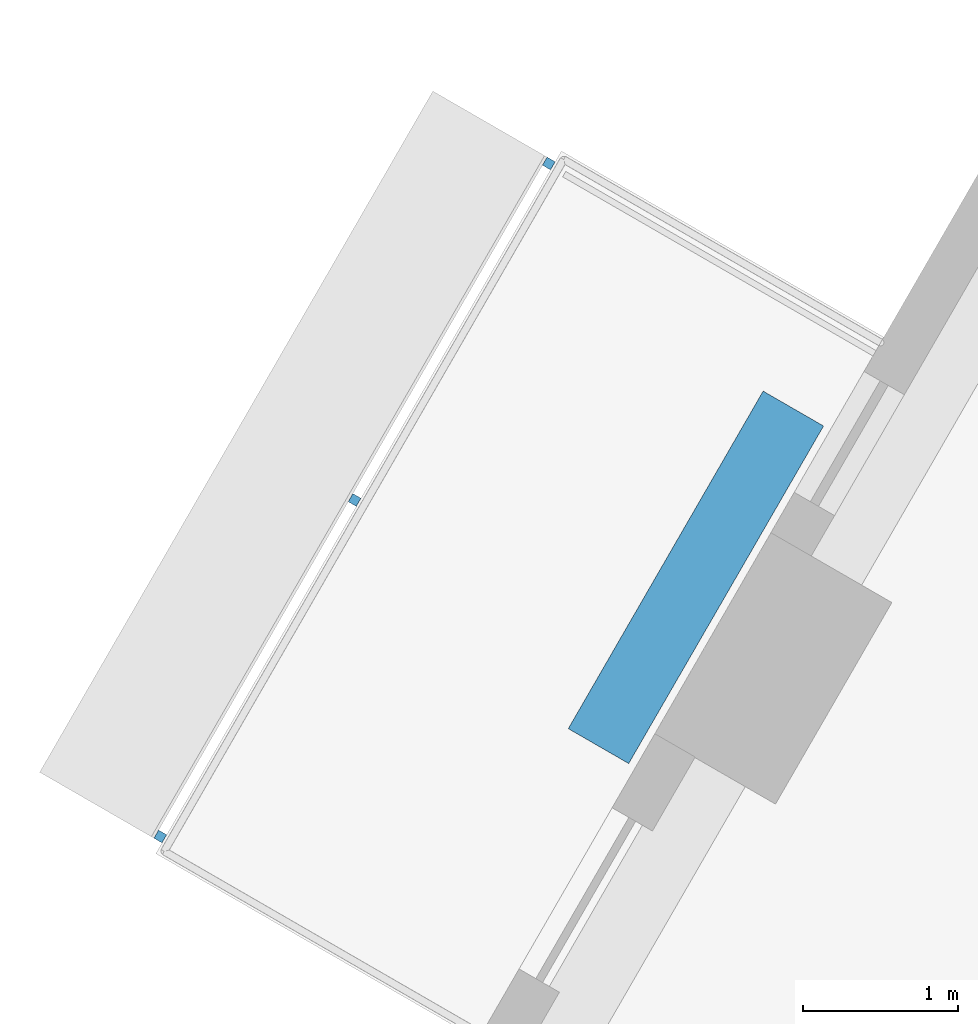
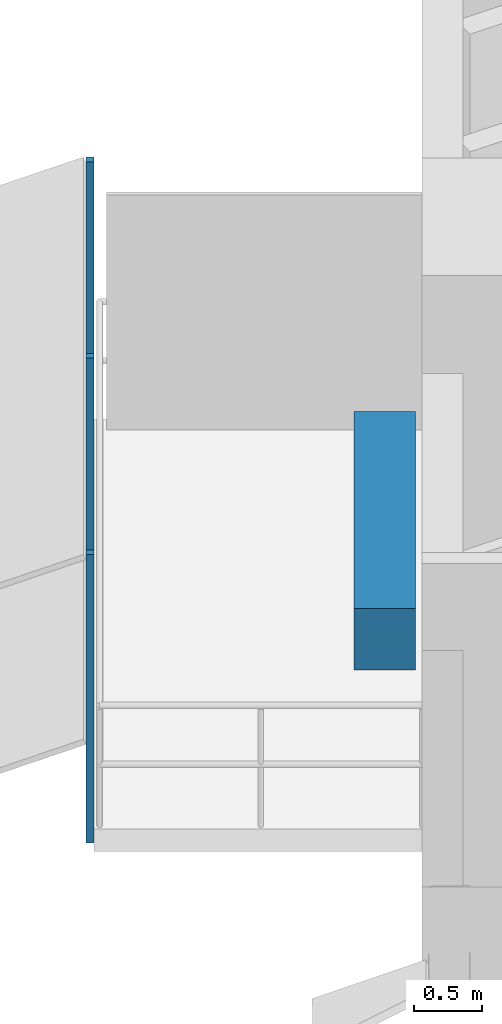
# One storey, part 10 of 13: 4 discrete accessories.
"""IFC4 building model written with IfcOpenShell, lengths in metres."""

import ifcopenshell
import ifcopenshell.guid

model = None  # the IFC model being written
_history = None  # IfcOwnerHistory: only IFC2X3 demands one
_inside = {}  # id of a spatial element -> (the spatial element, [elements in it])
_under = {}  # id of a project, library or spatial element -> (it, [spatial elements below it])
_declared = {}  # id of a project -> (the project, [libraries it declares])
_typed = {}  # id of a type object -> (the type object, [elements of that type])
_made_of = {}  # id of a material, layer set ... -> (it, [elements and type objects made of it])


def new_model(schema):
    """Start an empty IFC model of exactly this schema.

    Asked for "IFC4X3", IfcOpenShell would pick the latest addendum, in which some entities
    have other attributes; the version numbers below select the first issue.
    IFC2X3 requires an IfcOwnerHistory on every rooted entity: one is made here for all.
    """
    global model, _history
    if schema == "IFC4X3":
        model = ifcopenshell.file(schema_version=(4, 3, 0, 0))
    else:
        model = ifcopenshell.file(schema=schema)
    _inside.clear()
    _under.clear()
    _declared.clear()
    _typed.clear()
    _made_of.clear()
    _history = None
    if model.schema == "IFC2X3":
        org = make("IfcOrganization", Name="unknown")
        user = make(
            "IfcPersonAndOrganization",
            ThePerson=make("IfcPerson", FamilyName="unknown"),
            TheOrganization=org,
        )
        app = make(
            "IfcApplication",
            ApplicationDeveloper=org,
            Version="unknown",
            ApplicationFullName="unknown",
            ApplicationIdentifier="unknown",
        )
        _history = make(
            "IfcOwnerHistory",
            OwningUser=user,
            OwningApplication=app,
            ChangeAction="ADDED",
            CreationDate=0,
        )
    return model


def make(cls, **values):
    """One entity of the class cls with the attributes given. An attribute that is None is left unset."""
    return model.create_entity(
        cls, **{name: value for name, value in values.items() if value is not None}
    )


def rooted(cls, **values):
    """An entity with a GlobalId (a new one), such as an element, a storey or a relation."""
    return make(cls, GlobalId=ifcopenshell.guid.new(), OwnerHistory=_history, **values)


def si_unit(unit_type, name, prefix=None):
    """IfcSIUnit, for example si_unit("LENGTHUNIT", "METRE", prefix="MILLI")."""
    return make("IfcSIUnit", UnitType=unit_type, Prefix=prefix, Name=name)


def assignment(units):
    """IfcUnitAssignment: the units of a project."""
    return None if units is None else make("IfcUnitAssignment", Units=units)


def point(xyz):
    """IfcCartesianPoint."""
    return None if xyz is None else make("IfcCartesianPoint", Coordinates=xyz)


def direction(xyz):
    """IfcDirection."""
    return None if xyz is None else make("IfcDirection", DirectionRatios=xyz)


def frame(location, z_axis=None, x_axis=None):
    """IfcAxis2Placement3D, a coordinate frame: its origin and axes. An axis left out is left unset."""
    return make(
        "IfcAxis2Placement3D",
        Location=point(location),
        Axis=direction(z_axis),
        RefDirection=direction(x_axis),
    )


def frame_2d(location, x_axis=None):
    """IfcAxis2Placement2D, a coordinate frame in the plane: its origin and x axis."""
    return make(
        "IfcAxis2Placement2D", Location=point(location), RefDirection=direction(x_axis)
    )


def origin():
    """The frame at (0, 0, 0) with its axes left unset."""
    return frame((0.0, 0.0, 0.0))


def origin_2d():
    """The frame at (0, 0) in the plane with its x axis left unset."""
    return frame_2d((0.0, 0.0))


def place(relative_to, where):
    """IfcLocalPlacement: puts the frame where relative to a parent placement (None: the world)."""
    return make(
        "IfcLocalPlacement", PlacementRelTo=relative_to, RelativePlacement=where
    )


def context(
    kind, dimensions, precision=None, world=None, true_north=None, identifier=None
):
    """IfcGeometricRepresentationContext, for example the 3D "Model" context."""
    return make(
        "IfcGeometricRepresentationContext",
        ContextIdentifier=identifier,
        ContextType=kind,
        CoordinateSpaceDimension=dimensions,
        Precision=precision,
        WorldCoordinateSystem=world,
        TrueNorth=true_north,
    )


def subcontext(parent, identifier, kind, view, scale=None):
    """IfcGeometricRepresentationSubContext, for example "Body" below "Model"."""
    return make(
        "IfcGeometricRepresentationSubContext",
        ContextIdentifier=identifier,
        ContextType=kind,
        ParentContext=parent,
        TargetScale=scale,
        TargetView=view,
    )


def project(units=None, contexts=None):
    """IfcProject with its units and contexts."""
    return rooted(
        "IfcProject",
        Name="project",
        RepresentationContexts=contexts,
        UnitsInContext=assignment(units),
    )


def spatial(cls, under=None, at=None, **own):
    """A site, building, storey or space (cls), placed at a placement, below another one or the project."""
    s = rooted(cls, ObjectPlacement=at, **own)
    if under is not None:
        _under.setdefault(under.id(), (under, []))[1].append(s)
    return s


def profile(cls, at=None, kind="AREA", **sizes):
    """A parametric profile (cls). Its sizes go by their IFC names, for example OverallWidth=200.0."""
    return make(cls, ProfileType=kind, Position=at, **sizes)


def rectangle(**sizes):
    """IfcRectangleProfileDef."""
    return profile("IfcRectangleProfileDef", **sizes)


def extrude(swept, where, along, depth):
    """IfcExtrudedAreaSolid: the profile swept, set in the frame where, extruded along a direction by depth."""
    return make(
        "IfcExtrudedAreaSolid",
        SweptArea=swept,
        Position=where,
        ExtrudedDirection=direction(along),
        Depth=depth,
    )


def shape(context_of_items, identifier, shape_type, items):
    """IfcShapeRepresentation: the items that make up one representation, for example the "Body"."""
    return make(
        "IfcShapeRepresentation",
        ContextOfItems=context_of_items,
        RepresentationIdentifier=identifier,
        RepresentationType=shape_type,
        Items=items,
    )


def material(Name=None, Category=None):
    """IfcMaterial."""
    return make("IfcMaterial", Name=Name, Category=Category)


def made_of(thing, what):
    """Note that an element or type object is made of a material, layer set ...; save() writes the relation."""
    if what is not None:
        _made_of.setdefault(what.id(), (what, []))[1].append(thing)
    return thing


def type_object(cls, material=None, **own):
    """A type object (cls), such as IfcWallType, which elements share."""
    return made_of(rooted(cls, **own), material)


def element(
    cls,
    number,
    at=None,
    inside=None,
    cuts=None,
    type_object=None,
    material=None,
    context=None,
    identifier="Body",
    shape_type=None,
    held_by="IfcProductDefinitionShape",
    body=None,
    shapes=None,
    **own,
):
    """One element of the class cls, such as IfcWall. Its Tag is "e" and its number.

    at: its placement. inside: the storey or other place that contains it. cuts: it is an
    opening in that element (IfcRelVoidsElement). A single representation is given by context,
    identifier, shape_type and body (its items); several are given by shapes. held_by: the class
    of the entity that holds the representations. save() writes the other relations.
    """
    e = rooted(cls, Tag="e%d" % number, ObjectPlacement=at, **own)
    if body is not None:
        shapes = [shape(context, identifier, shape_type, body)]
    if shapes is not None:
        e.Representation = make(held_by, Representations=shapes)
    if inside is not None:
        _inside.setdefault(inside.id(), (inside, []))[1].append(e)
    if cuts is not None:
        rooted(
            "IfcRelVoidsElement", RelatingBuildingElement=cuts, RelatedOpeningElement=e
        )
    if type_object is not None:
        _typed.setdefault(type_object.id(), (type_object, []))[1].append(e)
    return made_of(e, material)


def aggregate(whole, parts):
    """IfcRelAggregates: a whole, such as a stair, and the parts it consists of."""
    return rooted("IfcRelAggregates", RelatingObject=whole, RelatedObjects=parts)


def save(model, path):
    """Write the relations noted so far, then the file.

    IfcRelAggregates (storeys below a building ...), IfcRelContainedInSpatialStructure (elements
    in a storey), IfcRelDefinesByType, IfcRelAssociatesMaterial and IfcRelDeclares: one each for
    every whole, place, type object, material and project.
    """
    for whole, parts in _under.values():
        aggregate(whole, parts)
    for where, things in _inside.values():
        rooted(
            "IfcRelContainedInSpatialStructure",
            RelatedElements=things,
            RelatingStructure=where,
        )
    for kind, things in _typed.values():
        rooted("IfcRelDefinesByType", RelatedObjects=things, RelatingType=kind)
    for what, things in _made_of.values():
        rooted("IfcRelAssociatesMaterial", RelatedObjects=things, RelatingMaterial=what)
    for by, libraries in _declared.values():
        rooted("IfcRelDeclares", RelatingContext=by, RelatedDefinitions=libraries)
    model.write(path)


model = new_model("IFC4")

# Units and contexts
model_context = context("Model", 3, precision=1e-05, world=origin(), true_north=direction((0.0, 1.0)))
body_context = subcontext(model_context, "Body", "Model", "MODEL_VIEW")
ifc_project = project(units=[si_unit("LENGTHUNIT", "METRE"), si_unit("AREAUNIT", "SQUARE_METRE"), si_unit("VOLUMEUNIT", "CUBIC_METRE"), si_unit("PLANEANGLEUNIT", "RADIAN"), si_unit("MASSUNIT", "GRAM", prefix="KILO")], contexts=[model_context])

# Site, building, storey
site_placement = place(None, origin())
site = spatial("IfcSite", under=ifc_project, at=site_placement, CompositionType="ELEMENT")
building_placement = place(site_placement, origin())
building = spatial("IfcBuilding", under=site, at=building_placement, Name="Nakaniwa Court", CompositionType="ELEMENT")
storey_placement = place(building_placement, frame((0.0, 0.0, 41.39990234375)))
storey = spatial("IfcBuildingStorey", under=building, at=storey_placement, Name="L10", CompositionType="ELEMENT", Elevation=41.39990234375)

# Discrete accessories
ifc_material_1 = material(Name="Black powder-coated steel bracket S275", Category="steel")
discrete_accessory_type_1 = type_object("IfcDiscreteAccessoryType", Name="Black metal louvre bracket", PredefinedType="BRACKET", material=ifc_material_1)
for number, where, z_axis, x_axis, name in (
    (1, (58.2451171875, 95.1796875, -0.229736328125), (0.0, 0.0, 1.0), (-0.499974304289, -0.866040238702, 0.0), "L10 louvre bracket 01 1"),
    (2, (56.992919921875, 93.010498046875, -0.229736328125), (0.0, 0.0, 1.0), (-0.499974304289, -0.866040238702, 0.0), "L10 louvre bracket 01 2"),
    (3, (55.740478515625, 90.84130859375, -0.229736328125), (0.0, 0.0, 1.0), (-0.499974304289, -0.866040238702, 0.0), "L10 louvre bracket 01 3"),
):
    element("IfcDiscreteAccessory", number, at=place(storey_placement, frame(where, z_axis=z_axis, x_axis=x_axis)), inside=storey, type_object=discrete_accessory_type_1, Name=name, PredefinedType="BRACKET", context=body_context, shape_type="SweptSolid", body=[
        extrude(rectangle(XDim=0.06005859375, YDim=0.06005859375, at=origin_2d()), origin(), (0.0, 0.0, 1.0), 2.5751953125),
    ])
ifc_material_2 = material(Name="Precast concrete C40/50 planter with planted soil", Category="concrete")
discrete_accessory_type_2 = type_object("IfcDiscreteAccessoryType", Name="Planter box charcoal concrete", PredefinedType="USERDEFINED", material=ifc_material_2)
discrete_accessory_placement = place(storey_placement, frame((59.193359375, 92.511962890625, -0.0498046875), z_axis=(0.0, 0.0, 1.0), x_axis=(-0.499974304289, -0.866040238702, 0.0)))
element("IfcDiscreteAccessory", 4, at=discrete_accessory_placement, inside=storey, type_object=discrete_accessory_type_2, Name="L10 balcony PLANTER 01", ObjectType="PLANTER", PredefinedType="USERDEFINED", context=body_context, shape_type="SweptSolid", body=[
    extrude(rectangle(XDim=2.5126953125, YDim=0.449951171875, at=origin_2d()), origin(), (0.0, 0.0, 1.0), 0.550048828125),
])

save(model, "model.ifc")
